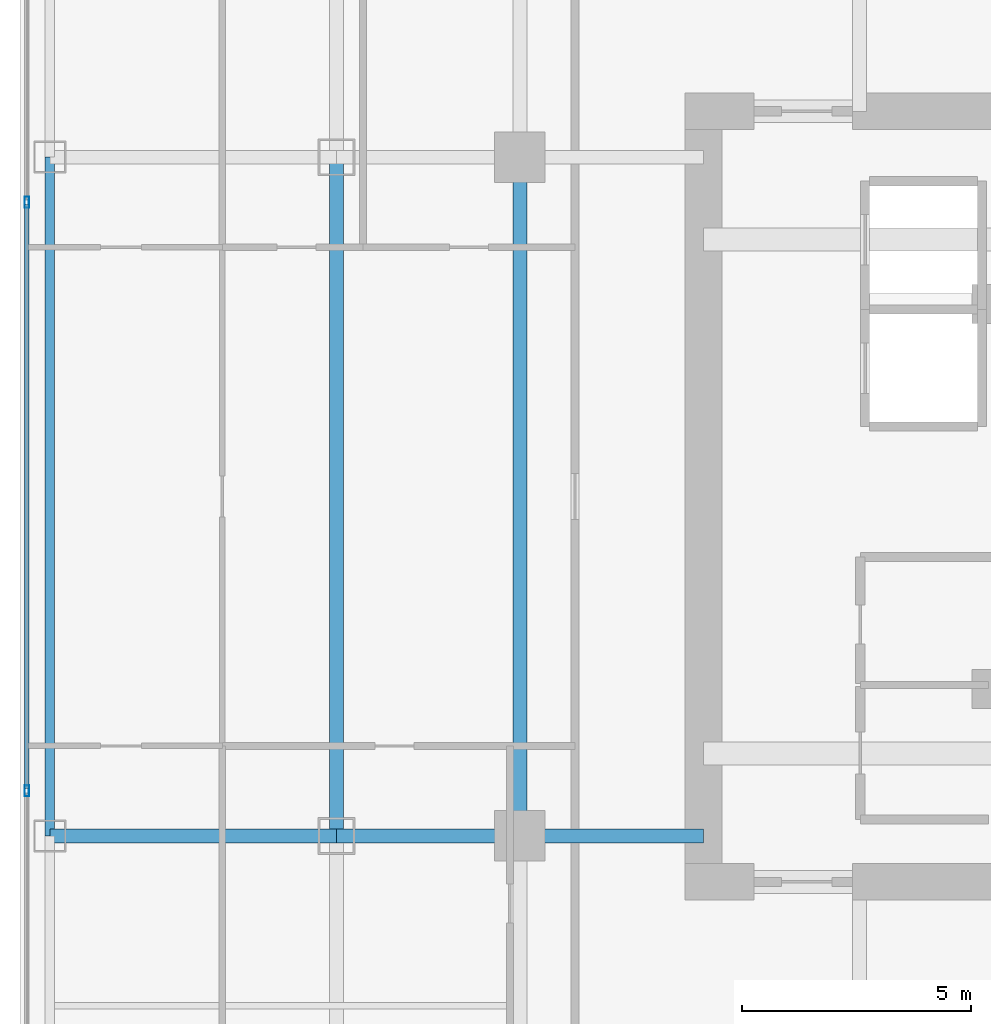
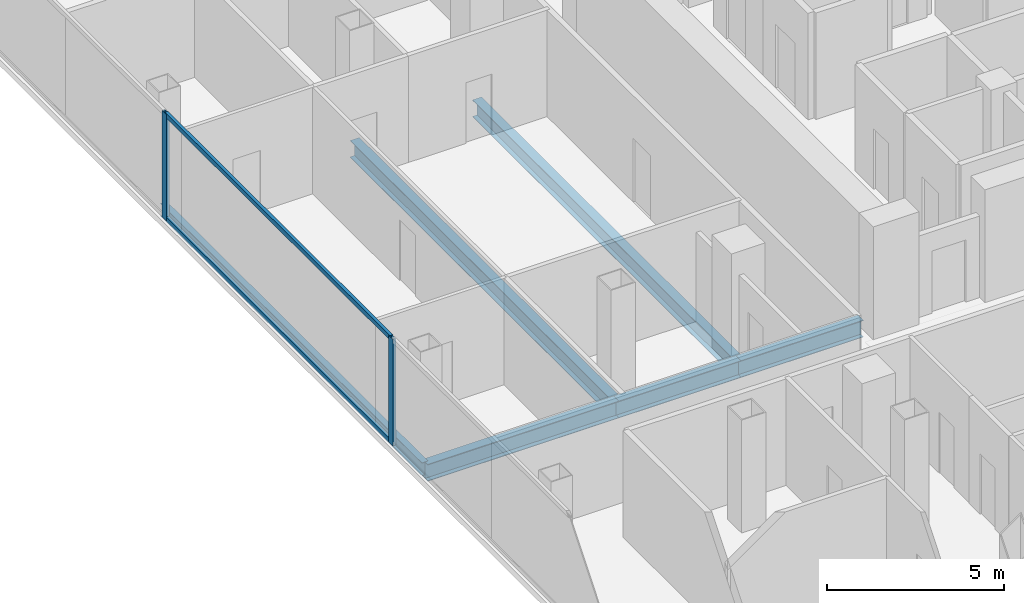
# One storey, part 5 of 25: 6 beams, 4 members, 1 element without a shape of its own.
"""IFC4 building model written with IfcOpenShell, lengths in metres."""

from ifc_helpers import new_model, si_unit, direction, frame, origin, origin_2d, place, context, subcontext, project, spatial, hollow_rectangle, i_section, extrude, material, layer, layer_set, material_profile, profile_set, type_object, element, aggregate, save


model = new_model("IFC4")

# Units and contexts
model_context = context("Model", 3, precision=1e-05, world=origin(), true_north=direction((0.0, 1.0)))
body_context = subcontext(model_context, "Body", "Model", "MODEL_VIEW")
ifc_project = project(units=[si_unit("LENGTHUNIT", "METRE"), si_unit("AREAUNIT", "SQUARE_METRE"), si_unit("VOLUMEUNIT", "CUBIC_METRE"), si_unit("PLANEANGLEUNIT", "RADIAN"), si_unit("MASSUNIT", "GRAM", prefix="KILO")], contexts=[model_context])

# Site, building, storey
site_placement = place(None, origin())
site = spatial("IfcSite", under=ifc_project, at=site_placement, CompositionType="ELEMENT")
building_placement = place(site_placement, origin())
building = spatial("IfcBuilding", under=site, at=building_placement, Name="Khorvyn Point Tower", CompositionType="ELEMENT")
storey_placement = place(building_placement, frame((0.0, 0.0, 171.89990234375)))
storey = spatial("IfcBuildingStorey", under=building, at=storey_placement, Name="L42", CompositionType="ELEMENT", Elevation=171.89990234375)

# Curtain wall, members
ifc_material_1 = material(Name="Anodised aluminium 6063-T6 and laminated Low-E glass", Category="aluminium")
ifc_layer = layer(ifc_material_1, 0.18994140625)
ifc_layer_set = layer_set([ifc_layer], Name="Stick-Built Acoustic Curtain Wall CW-SYS-03")
curtain_wall_type = type_object("IfcCurtainWallType", Name="Stick-Built Acoustic Curtain Wall CW-SYS-03", PredefinedType="NOTDEFINED", material=ifc_layer_set)
curtain_wall_placement = place(storey_placement, origin())
curtain_wall = element("IfcCurtainWall", 1, at=curtain_wall_placement, inside=storey, type_object=curtain_wall_type, Name="Curtain Wall", PredefinedType="NOTDEFINED")
ifc_material_2 = material(Name="Anodised aluminium 6063-T6", Category="aluminium")
ifc_material_profile_1 = material_profile(ifc_material_2, hollow_rectangle(XDim=0.10009765625, YDim=0.239990234375, WallThickness=0.0048828125, at=origin_2d()))
ifc_profile_set_1 = profile_set([ifc_material_profile_1], Name="Anodised aluminium 6063-T6 ALU-MUL-100x240")
member_type_1 = type_object("IfcMemberType", Name="Anodised Aluminium 6063-T6 Mullion ALU-MUL-100x240", PredefinedType="MULLION", material=ifc_profile_set_1)
member_1_placement = place(storey_placement, frame((-25.550048828125, -6.416748046875, 0.0), z_axis=(0.0, 0.0, 1.0), x_axis=(-1.0, 0.0, 0.0)))
member_1 = element("IfcMember", 2, at=member_1_placement, type_object=member_type_1, Name="Transom", PredefinedType="MULLION", context=body_context, shape_type="SweptSolid", body=[
    extrude(hollow_rectangle(XDim=0.10009765625, YDim=0.239990234375, WallThickness=0.0048828125, at=origin_2d()), origin(), (0.0, 0.0, 1.0), 3.68017578125),
])
member_2_placement = place(storey_placement, frame((-25.550048828125, 6.416748046875, 0.0), z_axis=(0.0, 0.0, 1.0), x_axis=(-1.0, 0.0, 0.0)))
member_2 = element("IfcMember", 3, at=member_2_placement, type_object=member_type_1, Name="Transom", PredefinedType="MULLION", context=body_context, shape_type="SweptSolid", body=[
    extrude(hollow_rectangle(XDim=0.10009765625, YDim=0.239990234375, WallThickness=0.0048828125, at=origin_2d()), origin(), (0.0, 0.0, 1.0), 3.68017578125),
])
ifc_material_profile_2 = material_profile(ifc_material_2, hollow_rectangle(XDim=0.10009765625, YDim=0.159912109375, WallThickness=0.00439453125, at=origin_2d()))
ifc_profile_set_2 = profile_set([ifc_material_profile_2], Name="Anodised aluminium 6063-T6 ALU-TRN-100x160")
member_type_2 = type_object("IfcMemberType", Name="Anodised Aluminium 6063-T6 Transom ALU-TRN-100x160", PredefinedType="USERDEFINED", material=ifc_profile_set_2)
member_3_placement = place(storey_placement, frame((-25.550048828125, -6.36669921875, 0.050048828125), z_axis=(0.0, 1.0, 0.0), x_axis=(-1.0, 0.0, 0.0)))
member_3 = element("IfcMember", 4, at=member_3_placement, type_object=member_type_2, Name="Transom", ObjectType="TRANSOM", PredefinedType="USERDEFINED", context=body_context, shape_type="SweptSolid", body=[
    extrude(hollow_rectangle(XDim=0.10009765625, YDim=0.159912109375, WallThickness=0.00439453125, at=origin_2d()), origin(), (0.0, 0.0, 1.0), 12.7333984375),
])
member_4_placement = place(storey_placement, frame((-25.550048828125, -6.36669921875, 3.630126953125), z_axis=(0.0, 1.0, 0.0), x_axis=(-1.0, 0.0, 0.0)))
member_4 = element("IfcMember", 5, at=member_4_placement, type_object=member_type_2, Name="Transom", ObjectType="TRANSOM", PredefinedType="USERDEFINED", context=body_context, shape_type="SweptSolid", body=[
    extrude(hollow_rectangle(XDim=0.10009765625, YDim=0.159912109375, WallThickness=0.00439453125, at=origin_2d()), origin(), (0.0, 0.0, 1.0), 12.7333984375),
])
aggregate(curtain_wall, [member_1, member_2, member_3, member_4])

# Beams
ifc_material_3 = material(Name="Steel S355", Category="steel")
ifc_material_profile_3 = material_profile(ifc_material_3, i_section(OverallWidth=0.300048828125, OverallDepth=0.587890625, WebThickness=0.011962890625, FlangeThickness=0.02001953125, at=origin_2d()))
ifc_profile_set_3 = profile_set([ifc_material_profile_3], Name="Steel S355 H588x300x12x20")
beam_type_1 = type_object("IfcBeamType", Name="Steel S355 Beam H588x300x12x20", PredefinedType="BEAM", material=ifc_profile_set_3)
beam_1_placement = place(storey_placement, frame((-25.050048828125, -7.39990234375, -0.513916015625), z_axis=(1.0, 0.0, 0.0), x_axis=(0.0, 1.0, 0.0)))
element("IfcBeam", 6, at=beam_1_placement, inside=storey, type_object=beam_type_1, Name="Beam", PredefinedType="BEAM", context=body_context, shape_type="SweptSolid", body=[
    extrude(i_section(OverallWidth=0.300048828125, OverallDepth=0.587890625, WebThickness=0.011962890625, FlangeThickness=0.02001953125, at=origin_2d()), origin(), (0.0, 0.0, 1.0), 6.25),
])
for number, where, z_axis, x_axis, name in (
    (7, (-18.800048828125, -7.39990234375, -0.513916015625), (1.0, 0.0, 0.0), (0.0, 1.0, 0.0), "Beam"),
    (8, (-14.800048828125, -7.39990234375, -0.513916015625), (1.0, 0.0, 0.0), (0.0, 1.0, 0.0), "Beam"),
):
    element("IfcBeam", number, at=place(storey_placement, frame(where, z_axis=z_axis, x_axis=x_axis)), inside=storey, type_object=beam_type_1, Name=name, PredefinedType="BEAM", context=body_context, shape_type="SweptSolid", body=[
        extrude(i_section(OverallWidth=0.300048828125, OverallDepth=0.587890625, WebThickness=0.011962890625, FlangeThickness=0.02001953125, at=origin_2d()), origin(), (0.0, 0.0, 1.0), 4.0),
    ])
for number, where, z_axis, x_axis, name in (
    (9, (-14.800048828125, -7.39990234375, -0.513916015625), (0.0, 1.0, 0.0), (-1.0, 0.0, 0.0), "Beam"),
    (10, (-18.800048828125, -7.39990234375, -0.513916015625), (0.0, 1.0, 0.0), (-1.0, 0.0, 0.0), "Beam"),
):
    element("IfcBeam", number, at=place(storey_placement, frame(where, z_axis=z_axis, x_axis=x_axis)), inside=storey, type_object=beam_type_1, Name=name, PredefinedType="BEAM", context=body_context, shape_type="SweptSolid", body=[
        extrude(i_section(OverallWidth=0.300048828125, OverallDepth=0.587890625, WebThickness=0.011962890625, FlangeThickness=0.02001953125, at=origin_2d()), origin(), (0.0, 0.0, 1.0), 14.7998046875),
    ])
ifc_material_profile_4 = material_profile(ifc_material_3, i_section(OverallWidth=0.199951171875, OverallDepth=0.449951171875, WebThickness=0.009033203125, FlangeThickness=0.013916015625, at=origin_2d()))
ifc_profile_set_4 = profile_set([ifc_material_profile_4], Name="Steel S355 H450x200x9x14")
beam_type_2 = type_object("IfcBeamType", Name="Steel S355 Spandrel H450x200x9x14", PredefinedType="SPANDREL", material=ifc_profile_set_4)
beam_2_placement = place(storey_placement, frame((-25.050048828125, -7.39990234375, -0.44482421875), z_axis=(0.0, 1.0, 0.0), x_axis=(-1.0, 0.0, 0.0)))
element("IfcBeam", 11, at=beam_2_placement, inside=storey, type_object=beam_type_2, Name="Beam", PredefinedType="SPANDREL", context=body_context, shape_type="SweptSolid", body=[
    extrude(i_section(OverallWidth=0.199951171875, OverallDepth=0.449951171875, WebThickness=0.009033203125, FlangeThickness=0.013916015625, at=origin_2d()), origin(), (0.0, 0.0, 1.0), 14.7998046875),
])

save(model, "model.ifc")
